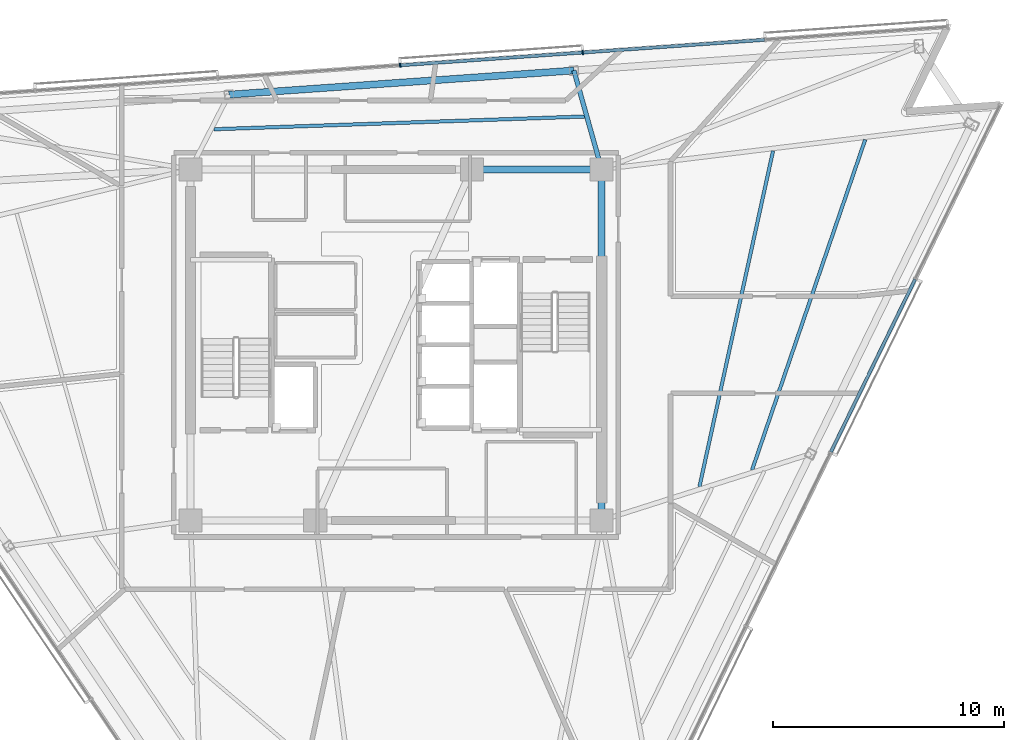
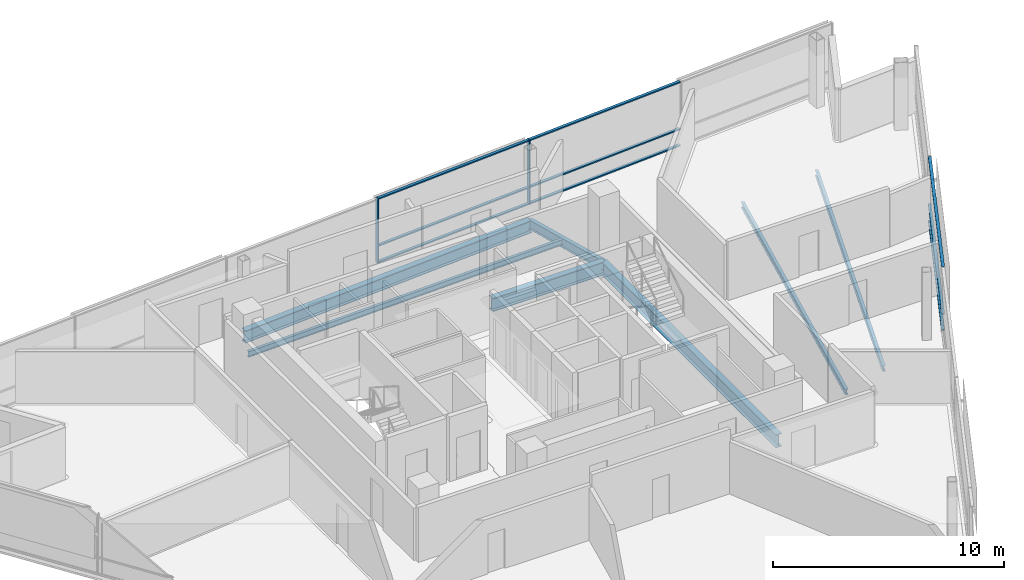
# One storey, part 6 of 16: 11 members, 7 beams, 2 elements without a shape of their own.
"""IFC4 building model written with IfcOpenShell, lengths in metres."""

from ifc_helpers import new_model, si_unit, direction, frame, origin, origin_2d, place, context, subcontext, project, spatial, rectangle, i_section, extrude, material, layer, layer_set, material_profile, profile_set, type_object, element, aggregate, save


model = new_model("IFC4")

# Units and contexts
model_context = context("Model", 3, precision=1e-05, world=origin(), true_north=direction((0.0, 1.0)))
body_context = subcontext(model_context, "Body", "Model", "MODEL_VIEW")
ifc_project = project(units=[si_unit("LENGTHUNIT", "METRE"), si_unit("AREAUNIT", "SQUARE_METRE"), si_unit("VOLUMEUNIT", "CUBIC_METRE"), si_unit("PLANEANGLEUNIT", "RADIAN"), si_unit("MASSUNIT", "GRAM", prefix="KILO")], contexts=[model_context])

# Site, building, storey
site_placement = place(None, origin())
site = spatial("IfcSite", under=ifc_project, at=site_placement, CompositionType="ELEMENT")
building_placement = place(site_placement, origin())
building = spatial("IfcBuilding", under=site, at=building_placement, Name="Tharavind Bronze Gate", CompositionType="ELEMENT")
storey_placement = place(building_placement, frame((0.0, 0.0, 260.60009765625)))
storey = spatial("IfcBuildingStorey", under=building, at=storey_placement, Name="L67", CompositionType="ELEMENT", Elevation=260.60009765625)

# Curtain wall, members
ifc_material_1 = material(Name="Anodised Bronze Aluminium", Category="aluminium")
ifc_layer = layer(ifc_material_1, 0.219970703125)
ifc_layer_set = layer_set([ifc_layer], Name="Anodised Bronze Aluminium")
curtain_wall_type = type_object("IfcCurtainWallType", Name="UNITISED CURTAIN WALL UPPER OFFICE", PredefinedType="USERDEFINED", material=ifc_layer_set)
curtain_wall_1_placement = place(storey_placement, origin())
curtain_wall_1 = element("IfcCurtainWall", 1, at=curtain_wall_1_placement, inside=storey, type_object=curtain_wall_type, Name="L67 unitised curtain wall upper office CW-L67-S3", ObjectType="UNITISED CURTAIN WALL", PredefinedType="USERDEFINED")
member_type_1 = type_object("IfcMemberType", Name="CURTAIN WALL BRONZE MULLION 65X180", PredefinedType="MULLION", material=ifc_material_1)
member_1_placement = place(storey_placement, frame((8.078369140625, 12.656005859375, 0.0), z_axis=(0.0, 0.0, 1.0), x_axis=(-0.997563806758, -0.069759955899, 0.0)))
member_1 = element("IfcMember", 2, at=member_1_placement, type_object=member_type_1, Name="CW-L67-S3 mullion 3", PredefinedType="MULLION", context=body_context, shape_type="SweptSolid", body=[
    extrude(rectangle(XDim=0.06494140625, YDim=0.179931640625, at=origin_2d()), origin(), (0.0, 0.0, 1.0), 3.419921875),
])
member_2_placement = place(storey_placement, frame((0.177490234375, 12.103515625, 0.0), z_axis=(0.0, 0.0, 1.0), x_axis=(-0.997563806758, -0.069759955899, 0.0)))
member_2 = element("IfcMember", 3, at=member_2_placement, type_object=member_type_1, Name="CW-L67-S3 mullion 4", PredefinedType="MULLION", context=body_context, shape_type="SweptSolid", body=[
    extrude(rectangle(XDim=0.06494140625, YDim=0.179931640625, at=origin_2d()), origin(), (0.0, 0.0, 1.0), 3.419921875),
])

curtain_wall_2_placement = place(storey_placement, origin())
curtain_wall_2 = element("IfcCurtainWall", 4, at=curtain_wall_2_placement, inside=storey, type_object=curtain_wall_type, Name="L67 unitised curtain wall upper office CW-L67-S2", ObjectType="UNITISED CURTAIN WALL", PredefinedType="USERDEFINED")
member_type_2 = type_object("IfcMemberType", Name="CURTAIN WALL BRONZE TRANSOM 65X140", PredefinedType="USERDEFINED", material=ifc_material_1)
member_3_placement = place(storey_placement, frame((20.64990234375, -0.89892578125, 0.0), z_axis=(0.0, 0.0, 1.0), x_axis=(0.43837271548, 0.898793281196, 0.0)))
member_3 = element("IfcMember", 5, at=member_3_placement, type_object=member_type_2, Name="CW-L67-S2 transom TB5", ObjectType="TRANSOM", PredefinedType="USERDEFINED", context=body_context, shape_type="SweptSolid", body=[
    extrude(rectangle(XDim=8.3193359375, YDim=0.139892578125, at=origin_2d()), origin(), (0.0, 0.0, 1.0), 0.06494140625),
])
member_4_placement = place(storey_placement, frame((20.64990234375, -0.89892578125, 0.867431640625), z_axis=(0.0, 0.0, 1.0), x_axis=(0.43837271548, 0.898793281196, 0.0)))
member_4 = element("IfcMember", 6, at=member_4_placement, type_object=member_type_2, Name="CW-L67-S2 transom TS5", ObjectType="TRANSOM", PredefinedType="USERDEFINED", context=body_context, shape_type="SweptSolid", body=[
    extrude(rectangle(XDim=8.3193359375, YDim=0.139892578125, at=origin_2d()), origin(), (0.0, 0.0, 1.0), 0.06494140625),
])
member_5_placement = place(storey_placement, frame((20.64990234375, -0.89892578125, 3.35498046875), z_axis=(0.0, 0.0, 1.0), x_axis=(0.43837271548, 0.898793281196, 0.0)))
member_5 = element("IfcMember", 7, at=member_5_placement, type_object=member_type_2, Name="CW-L67-S2 transom TT5", ObjectType="TRANSOM", PredefinedType="USERDEFINED", context=body_context, shape_type="SweptSolid", body=[
    extrude(rectangle(XDim=8.3193359375, YDim=0.139892578125, at=origin_2d()), origin(), (0.0, 0.0, 1.0), 0.06494140625),
])
aggregate(curtain_wall_2, [member_3, member_4, member_5])

# Member
member_6_placement = place(storey_placement, frame((12.02880859375, 12.932373046875, 0.0), z_axis=(0.0, 0.0, 1.0), x_axis=(-0.997563806758, -0.069759955899, 0.0)))
member_6 = element("IfcMember", 8, at=member_6_placement, type_object=member_type_2, Name="CW-L67-S3 transom TB2", ObjectType="TRANSOM", PredefinedType="USERDEFINED", context=body_context, shape_type="SweptSolid", body=[
    extrude(rectangle(XDim=7.8671875, YDim=0.139892578125, at=origin_2d()), origin(), (0.0, 0.0, 1.0), 0.06494140625),
])

member_7_placement = place(storey_placement, frame((12.02880859375, 12.932373046875, 0.867431640625), z_axis=(0.0, 0.0, 1.0), x_axis=(-0.997563806758, -0.069759955899, 0.0)))
member_7 = element("IfcMember", 9, at=member_7_placement, type_object=member_type_2, Name="CW-L67-S3 transom TS2", ObjectType="TRANSOM", PredefinedType="USERDEFINED", context=body_context, shape_type="SweptSolid", body=[
    extrude(rectangle(XDim=7.8671875, YDim=0.139892578125, at=origin_2d()), origin(), (0.0, 0.0, 1.0), 0.06494140625),
])

member_8_placement = place(storey_placement, frame((12.02880859375, 12.932373046875, 3.35498046875), z_axis=(0.0, 0.0, 1.0), x_axis=(-0.997563806758, -0.069759955899, 0.0)))
member_8 = element("IfcMember", 10, at=member_8_placement, type_object=member_type_2, Name="CW-L67-S3 transom TT2", ObjectType="TRANSOM", PredefinedType="USERDEFINED", context=body_context, shape_type="SweptSolid", body=[
    extrude(rectangle(XDim=7.8671875, YDim=0.139892578125, at=origin_2d()), origin(), (0.0, 0.0, 1.0), 0.06494140625),
])

member_9_placement = place(storey_placement, frame((4.1279296875, 12.3798828125, 0.0), z_axis=(0.0, 0.0, 1.0), x_axis=(-0.997563806758, -0.069759955899, 0.0)))
member_9 = element("IfcMember", 11, at=member_9_placement, type_object=member_type_2, Name="CW-L67-S3 transom TB3", ObjectType="TRANSOM", PredefinedType="USERDEFINED", context=body_context, shape_type="SweptSolid", body=[
    extrude(rectangle(XDim=7.8671875, YDim=0.139892578125, at=origin_2d()), origin(), (0.0, 0.0, 1.0), 0.06494140625),
])

member_10_placement = place(storey_placement, frame((4.1279296875, 12.3798828125, 0.867431640625), z_axis=(0.0, 0.0, 1.0), x_axis=(-0.997563806758, -0.069759955899, 0.0)))
member_10 = element("IfcMember", 12, at=member_10_placement, type_object=member_type_2, Name="CW-L67-S3 transom TS3", ObjectType="TRANSOM", PredefinedType="USERDEFINED", context=body_context, shape_type="SweptSolid", body=[
    extrude(rectangle(XDim=7.8671875, YDim=0.139892578125, at=origin_2d()), origin(), (0.0, 0.0, 1.0), 0.06494140625),
])

member_11_placement = place(storey_placement, frame((4.1279296875, 12.3798828125, 3.35498046875), z_axis=(0.0, 0.0, 1.0), x_axis=(-0.997563806758, -0.069759955899, 0.0)))
member_11 = element("IfcMember", 13, at=member_11_placement, type_object=member_type_2, Name="CW-L67-S3 transom TT3", ObjectType="TRANSOM", PredefinedType="USERDEFINED", context=body_context, shape_type="SweptSolid", body=[
    extrude(rectangle(XDim=7.8671875, YDim=0.139892578125, at=origin_2d()), origin(), (0.0, 0.0, 1.0), 0.06494140625),
])

aggregate(curtain_wall_1, [member_1, member_2, member_6, member_7, member_8, member_9, member_10, member_11])

# Beams
ifc_material_2 = material(Name="Steel S355", Category="steel")
ifc_material_profile_1 = material_profile(ifc_material_2, i_section(OverallWidth=0.300048828125, OverallDepth=0.64990234375, WebThickness=0.01611328125, FlangeThickness=0.031005859375, at=origin_2d()), Name="HE650B")
ifc_profile_set_1 = profile_set([ifc_material_profile_1], Name="Steel S355")
beam_type_1 = type_object("IfcBeamType", Name="PRIMARY GIRDER HE650B", PredefinedType="USERDEFINED", material=ifc_profile_set_1)
beam_1_placement = place(storey_placement, frame((7.69873046875, 11.877685546875, -0.505126953125), z_axis=(-0.997563609873, -0.069762771286, 0.0), x_axis=(0.069762771286, -0.997563609873, 0.0)))
element("IfcBeam", 14, at=beam_1_placement, inside=storey, type_object=beam_type_1, Name="L67 primary girder he650b BM-L67-PRG10", ObjectType="GIRDER", PredefinedType="USERDEFINED", context=body_context, shape_type="SweptSolid", body=[
    extrude(i_section(OverallWidth=0.300048828125, OverallDepth=0.64990234375, WebThickness=0.01611328125, FlangeThickness=0.031005859375, at=origin_2d()), origin(), (0.0, 0.0, 1.0), 14.974609375),
])
ifc_material_profile_2 = material_profile(ifc_material_2, i_section(OverallWidth=0.199951171875, OverallDepth=0.5, WebThickness=0.01025390625, FlangeThickness=0.01611328125, at=origin_2d()), Name="IPE500")
ifc_profile_set_2 = profile_set([ifc_material_profile_2], Name="Steel S355")
beam_type_2 = type_object("IfcBeamType", Name="PRIMARY GIRDER IPE500", PredefinedType="USERDEFINED", material=ifc_profile_set_2)
beam_2_placement = place(storey_placement, frame((7.69873046875, 11.877685546875, -0.43017578125), z_axis=(0.270349324095, -0.962762298265, 0.0), x_axis=(0.962762298265, 0.270349324095, 0.0)))
element("IfcBeam", 15, at=beam_2_placement, inside=storey, type_object=beam_type_2, Name="L67 primary girder ipe500 BM-L67-RAD10", ObjectType="GIRDER", PredefinedType="USERDEFINED", context=body_context, shape_type="SweptSolid", body=[
    extrude(i_section(OverallWidth=0.199951171875, OverallDepth=0.5, WebThickness=0.01025390625, FlangeThickness=0.01611328125, at=origin_2d()), origin(), (0.0, 0.0, 1.0), 4.443115234375),
])
ifc_material_profile_3 = material_profile(ifc_material_2, i_section(OverallWidth=0.300048828125, OverallDepth=0.699951171875, WebThickness=0.01708984375, FlangeThickness=0.031982421875, at=origin_2d()), Name="HE700B")
ifc_profile_set_3 = profile_set([ifc_material_profile_3], Name="Steel S355")
beam_type_3 = type_object("IfcBeamType", Name="RING GIRDER HE700B", PredefinedType="USERDEFINED", material=ifc_profile_set_3)
beam_3_placement = place(storey_placement, frame((8.89990234375, -7.60009765625, -0.530029296875), z_axis=(0.0, 1.0, 0.0), x_axis=(-1.0, 0.0, 0.0)))
element("IfcBeam", 16, at=beam_3_placement, inside=storey, type_object=beam_type_3, Name="L67 ring girder he700b BM-L67-CR3", ObjectType="GIRDER", PredefinedType="USERDEFINED", context=body_context, shape_type="SweptSolid", body=[
    extrude(i_section(OverallWidth=0.300048828125, OverallDepth=0.699951171875, WebThickness=0.01708984375, FlangeThickness=0.031982421875, at=origin_2d()), origin(), (0.0, 0.0, 1.0), 15.2001953125),
])
beam_4_placement = place(storey_placement, frame((8.89990234375, 7.60009765625, -0.530029296875), z_axis=(-1.0, 0.0, 0.0), x_axis=(0.0, -1.0, 0.0)))
element("IfcBeam", 17, at=beam_4_placement, inside=storey, type_object=beam_type_3, Name="L67 ring girder he700b BM-L67-CR4", ObjectType="GIRDER", PredefinedType="USERDEFINED", context=body_context, shape_type="SweptSolid", body=[
    extrude(i_section(OverallWidth=0.300048828125, OverallDepth=0.699951171875, WebThickness=0.01708984375, FlangeThickness=0.031982421875, at=origin_2d()), origin(), (0.0, 0.0, 1.0), 5.619873046875),
])
ifc_material_profile_4 = material_profile(ifc_material_2, i_section(OverallWidth=0.14990234375, OverallDepth=0.300048828125, WebThickness=0.007080078125, FlangeThickness=0.0107421875, at=origin_2d()), Name="IPE300")
ifc_profile_set_4 = profile_set([ifc_material_profile_4], Name="Steel S355")
beam_type_4 = type_object("IfcBeamType", Name="SECONDARY FLOOR JOIST IPE300", PredefinedType="JOIST", material=ifc_profile_set_4)
beam_5_placement = place(storey_placement, frame((13.13427734375, -6.14501953125, -0.330078125), z_axis=(0.21409442117, 0.976812970237, 0.0), x_axis=(-0.976812970237, 0.21409442117, 0.0)))
element("IfcBeam", 18, at=beam_5_placement, inside=storey, type_object=beam_type_4, Name="L67 secondary floor joist ipe300 BM-L67-JSTA07", PredefinedType="JOIST", context=body_context, shape_type="SweptSolid", body=[
    extrude(i_section(OverallWidth=0.14990234375, OverallDepth=0.300048828125, WebThickness=0.007080078125, FlangeThickness=0.0107421875, at=origin_2d()), origin(), (0.0, 0.0, 1.0), 14.889404296875),
])
beam_6_placement = place(storey_placement, frame((15.4130859375, -5.420654296875, -0.330078125), z_axis=(0.323918937062, 0.946084838803, 0.0), x_axis=(-0.946084838803, 0.323918937062, 0.0)))
element("IfcBeam", 19, at=beam_6_placement, inside=storey, type_object=beam_type_4, Name="L67 secondary floor joist ipe300 BM-L67-JSTB07", PredefinedType="JOIST", context=body_context, shape_type="SweptSolid", body=[
    extrude(i_section(OverallWidth=0.14990234375, OverallDepth=0.300048828125, WebThickness=0.007080078125, FlangeThickness=0.0107421875, at=origin_2d()), origin(), (0.0, 0.0, 1.0), 15.120849609375),
])
beam_7_placement = place(storey_placement, frame((8.150390625, 9.885009765625, -0.330078125), z_axis=(-0.999410182426, -0.034340752228, 0.0), x_axis=(0.034340752228, -0.999410182426, 0.0)))
element("IfcBeam", 20, at=beam_7_placement, inside=storey, type_object=beam_type_4, Name="L67 secondary floor joist ipe300 BM-L67-JSTA10", PredefinedType="JOIST", context=body_context, shape_type="SweptSolid", body=[
    extrude(i_section(OverallWidth=0.14990234375, OverallDepth=0.300048828125, WebThickness=0.007080078125, FlangeThickness=0.0107421875, at=origin_2d()), origin(), (0.0, 0.0, 1.0), 16.052978515625),
])

save(model, "model.ifc")
